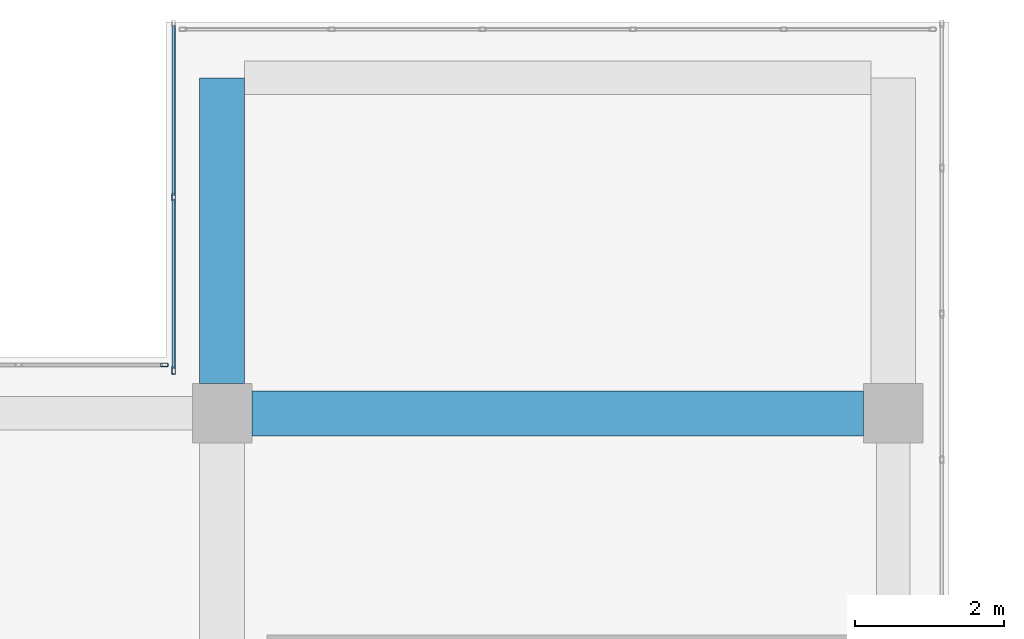
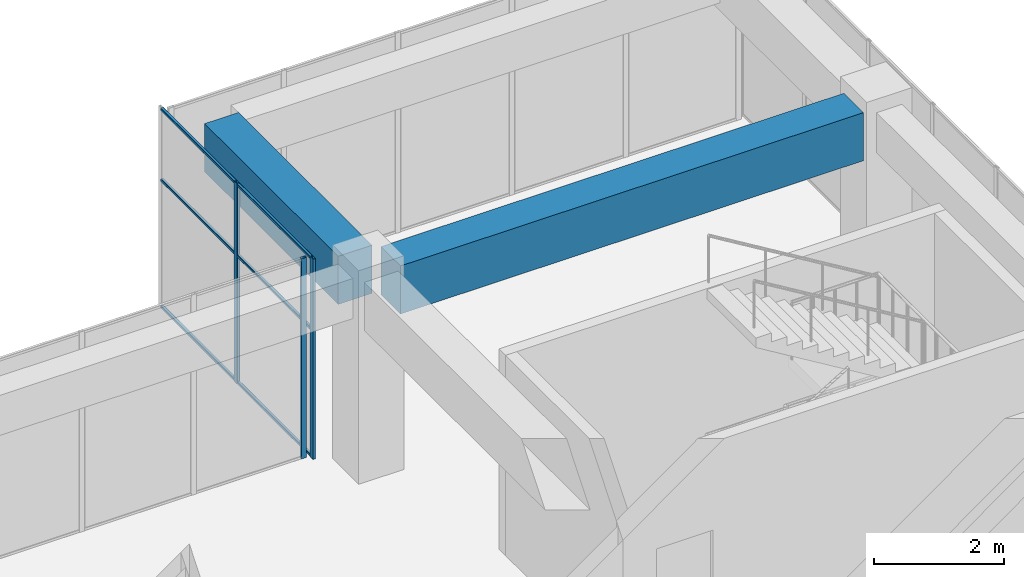
# One storey, part 34 of 55: 9 members, 2 beams, 2 elements without a shape of their own.
"""IFC4 building model written with IfcOpenShell, lengths in metres."""

from ifc_helpers import new_model, si_unit, direction, frame, origin, origin_2d, place, context, subcontext, project, spatial, rectangle, hollow_rectangle, extrude, material, layer, layer_set, material_profile, profile_set, type_object, element, aggregate, save


model = new_model("IFC4")

# Units and contexts
model_context = context("Model", 3, precision=1e-05, world=origin(), true_north=direction((0.0, 1.0)))
body_context = subcontext(model_context, "Body", "Model", "MODEL_VIEW")
ifc_project = project(units=[si_unit("LENGTHUNIT", "METRE"), si_unit("AREAUNIT", "SQUARE_METRE"), si_unit("VOLUMEUNIT", "CUBIC_METRE"), si_unit("PLANEANGLEUNIT", "RADIAN"), si_unit("MASSUNIT", "GRAM", prefix="KILO")], contexts=[model_context])

# Site, building, storey
site_placement = place(None, origin())
site = spatial("IfcSite", under=ifc_project, at=site_placement, CompositionType="ELEMENT")
building_placement = place(site_placement, origin())
building = spatial("IfcBuilding", under=site, at=building_placement, Name="Tuart Plaza Theatre", CompositionType="ELEMENT")
storey_placement = place(building_placement, frame((0.0, 0.0, 21.5)))
storey = spatial("IfcBuildingStorey", under=building, at=storey_placement, Name="L05", CompositionType="ELEMENT", Elevation=21.5)

# Beams
ifc_material_1 = material(Name="Concrete N40 (40 MPa)", Category="concrete")
ifc_material_profile_1 = material_profile(ifc_material_1, rectangle(XDim=0.60009765625, YDim=0.89990234375, at=origin_2d()), Name="BEAM 600x900 Concrete N40 (40 MPa)")
ifc_profile_set_1 = profile_set([ifc_material_profile_1], Name="Concrete N40 (40 MPa)")
beam_type = type_object("IfcBeamType", Name="BEAM 600x900 Concrete N40 (40 MPa)", PredefinedType="BEAM", material=ifc_profile_set_1)
beam_1_placement = place(storey_placement, frame((132.0, 92.39990234375, 3.300048828125), z_axis=(0.0, 1.0, 0.0), x_axis=(-1.0, 0.0, 0.0)))
element("IfcBeam", 1, at=beam_1_placement, inside=storey, type_object=beam_type, Name="RB225", PredefinedType="BEAM", context=body_context, shape_type="SweptSolid", body=[
    extrude(rectangle(XDim=0.60009765625, YDim=0.89990234375, at=origin_2d()), origin(), (0.0, 0.0, 1.0), 4.10009765625),
])
beam_2_placement = place(storey_placement, frame((132.39990234375, 92.0, 3.300048828125), z_axis=(1.0, 0.0, 0.0), x_axis=(0.0, 1.0, 0.0)))
element("IfcBeam", 2, at=beam_2_placement, inside=storey, type_object=beam_type, Name="RB226", PredefinedType="BEAM", context=body_context, shape_type="SweptSolid", body=[
    extrude(rectangle(XDim=0.60009765625, YDim=0.89990234375, at=origin_2d()), origin(), (0.0, 0.0, 1.0), 8.2001953125),
])

# Curtain wall, members
ifc_material_2 = material(Name="Aluminium and glass", Category="aluminium")
ifc_layer = layer(ifc_material_2, 0.10009765625)
ifc_layer_set = layer_set([ifc_layer], Name="CURTAIN WALL 2000 module")
curtain_wall_type = type_object("IfcCurtainWallType", Name="CURTAIN WALL 2000 module", PredefinedType="NOTDEFINED", material=ifc_layer_set)
curtain_wall_1_placement = place(storey_placement, origin())
curtain_wall_1 = element("IfcCurtainWall", 3, at=curtain_wall_1_placement, inside=storey, type_object=curtain_wall_type, Name="CW83", PredefinedType="NOTDEFINED")
ifc_material_3 = material(Name="Aluminium 6063-T5", Category="aluminium")
ifc_material_profile_2 = material_profile(ifc_material_3, hollow_rectangle(XDim=0.050048828125, YDim=0.10009765625, WallThickness=0.00390625, InnerFilletRadius=0.00390625, OuterFilletRadius=0.008056640625, at=origin_2d()), Name="RHS 100x50x4")
ifc_profile_set_2 = profile_set([ifc_material_profile_2], Name="Aluminium 6063-T5")
member_type_1 = type_object("IfcMemberType", Name="MULLION RHS 100x50x4", PredefinedType="MULLION", material=ifc_profile_set_2)
member_1_placement = place(storey_placement, frame((131.35009765625, 94.89990234375, 0.0), z_axis=(0.0, 0.0, 1.0), x_axis=(1.0, 0.0, 0.0)))
member_1 = element("IfcMember", 4, at=member_1_placement, type_object=member_type_1, Name="CW83 mullion 2", PredefinedType="MULLION", context=body_context, shape_type="SweptSolid", body=[
    extrude(hollow_rectangle(XDim=0.050048828125, YDim=0.10009765625, WallThickness=0.00390625, InnerFilletRadius=0.00390625, OuterFilletRadius=0.008056640625, at=origin_2d()), origin(), (0.0, 0.0, 1.0), 3.75),
])
member_2_placement = place(storey_placement, frame((131.35009765625, 92.574951171875, 0.0), z_axis=(0.0, 0.0, 1.0), x_axis=(1.0, 0.0, 0.0)))
member_2 = element("IfcMember", 5, at=member_2_placement, type_object=member_type_1, Name="CW83 mullion 3", PredefinedType="MULLION", context=body_context, shape_type="SweptSolid", body=[
    extrude(hollow_rectangle(XDim=0.050048828125, YDim=0.10009765625, WallThickness=0.00390625, InnerFilletRadius=0.00390625, OuterFilletRadius=0.008056640625, at=origin_2d()), origin(), (0.0, 0.0, 1.0), 3.75),
])

# Curtain wall, member
curtain_wall_2_placement = place(storey_placement, origin())
curtain_wall_2 = element("IfcCurtainWall", 6, at=curtain_wall_2_placement, inside=storey, type_object=curtain_wall_type, Name="CW84", PredefinedType="NOTDEFINED")
member_3_placement = place(storey_placement, frame((131.22509765625, 92.64990234375, 0.0), z_axis=(0.0, 0.0, 1.0), x_axis=(0.0, -1.0, 0.0)))
member_3 = element("IfcMember", 7, at=member_3_placement, type_object=member_type_1, Name="CW84 mullion 1", PredefinedType="MULLION", context=body_context, shape_type="SweptSolid", body=[
    extrude(hollow_rectangle(XDim=0.050048828125, YDim=0.10009765625, WallThickness=0.00390625, InnerFilletRadius=0.00390625, OuterFilletRadius=0.008056640625, at=origin_2d()), origin(), (0.0, 0.0, 1.0), 3.75),
])
aggregate(curtain_wall_2, [member_3])

# Member
ifc_material_4 = material(Name="Aluminium 6063-T5", Category="aluminium")
ifc_material_profile_3 = material_profile(ifc_material_4, hollow_rectangle(XDim=0.050048828125, YDim=0.050048828125, WallThickness=0.00390625, InnerFilletRadius=0.00390625, OuterFilletRadius=0.008056640625, at=origin_2d()), Name="RHS 50x50x4")
ifc_profile_set_3 = profile_set([ifc_material_profile_3], Name="Aluminium 6063-T5")
member_type_2 = type_object("IfcMemberType", Name="TRANSOM RHS 50x50x4", PredefinedType="USERDEFINED", material=ifc_profile_set_3)
member_4_placement = place(storey_placement, frame((131.35009765625, 97.199951171875, 0.02490234375), z_axis=(0.0, -1.0, 0.0), x_axis=(1.0, 0.0, 0.0)))
member_4 = element("IfcMember", 8, at=member_4_placement, type_object=member_type_2, Name="CW83 transom 1.1", ObjectType="TRANSOM", PredefinedType="USERDEFINED", context=body_context, shape_type="SweptSolid", body=[
    extrude(hollow_rectangle(XDim=0.050048828125, YDim=0.050048828125, WallThickness=0.00390625, InnerFilletRadius=0.00390625, OuterFilletRadius=0.008056640625, at=origin_2d()), origin(), (0.0, 0.0, 1.0), 2.27490234375),
])

member_5_placement = place(storey_placement, frame((131.35009765625, 97.199951171875, 2.39990234375), z_axis=(0.0, -1.0, 0.0), x_axis=(1.0, 0.0, 0.0)))
member_5 = element("IfcMember", 9, at=member_5_placement, type_object=member_type_2, Name="CW83 transom 1.2", ObjectType="TRANSOM", PredefinedType="USERDEFINED", context=body_context, shape_type="SweptSolid", body=[
    extrude(hollow_rectangle(XDim=0.050048828125, YDim=0.050048828125, WallThickness=0.00390625, InnerFilletRadius=0.00390625, OuterFilletRadius=0.008056640625, at=origin_2d()), origin(), (0.0, 0.0, 1.0), 2.27490234375),
])

member_6_placement = place(storey_placement, frame((131.35009765625, 97.199951171875, 3.72509765625), z_axis=(0.0, -1.0, 0.0), x_axis=(1.0, 0.0, 0.0)))
member_6 = element("IfcMember", 10, at=member_6_placement, type_object=member_type_2, Name="CW83 transom 1.3", ObjectType="TRANSOM", PredefinedType="USERDEFINED", context=body_context, shape_type="SweptSolid", body=[
    extrude(hollow_rectangle(XDim=0.050048828125, YDim=0.050048828125, WallThickness=0.00390625, InnerFilletRadius=0.00390625, OuterFilletRadius=0.008056640625, at=origin_2d()), origin(), (0.0, 0.0, 1.0), 2.27490234375),
])

member_7_placement = place(storey_placement, frame((131.35009765625, 94.875, 0.02490234375), z_axis=(0.0, -1.0, 0.0), x_axis=(1.0, 0.0, 0.0)))
member_7 = element("IfcMember", 11, at=member_7_placement, type_object=member_type_2, Name="CW83 transom 2.1", ObjectType="TRANSOM", PredefinedType="USERDEFINED", context=body_context, shape_type="SweptSolid", body=[
    extrude(hollow_rectangle(XDim=0.050048828125, YDim=0.050048828125, WallThickness=0.00390625, InnerFilletRadius=0.00390625, OuterFilletRadius=0.008056640625, at=origin_2d()), origin(), (0.0, 0.0, 1.0), 2.27490234375),
])

member_8_placement = place(storey_placement, frame((131.35009765625, 94.875, 2.39990234375), z_axis=(0.0, -1.0, 0.0), x_axis=(1.0, 0.0, 0.0)))
member_8 = element("IfcMember", 12, at=member_8_placement, type_object=member_type_2, Name="CW83 transom 2.2", ObjectType="TRANSOM", PredefinedType="USERDEFINED", context=body_context, shape_type="SweptSolid", body=[
    extrude(hollow_rectangle(XDim=0.050048828125, YDim=0.050048828125, WallThickness=0.00390625, InnerFilletRadius=0.00390625, OuterFilletRadius=0.008056640625, at=origin_2d()), origin(), (0.0, 0.0, 1.0), 2.27490234375),
])

member_9_placement = place(storey_placement, frame((131.35009765625, 94.875, 3.72509765625), z_axis=(0.0, -1.0, 0.0), x_axis=(1.0, 0.0, 0.0)))
member_9 = element("IfcMember", 13, at=member_9_placement, type_object=member_type_2, Name="CW83 transom 2.3", ObjectType="TRANSOM", PredefinedType="USERDEFINED", context=body_context, shape_type="SweptSolid", body=[
    extrude(hollow_rectangle(XDim=0.050048828125, YDim=0.050048828125, WallThickness=0.00390625, InnerFilletRadius=0.00390625, OuterFilletRadius=0.008056640625, at=origin_2d()), origin(), (0.0, 0.0, 1.0), 2.27490234375),
])

aggregate(curtain_wall_1, [member_1, member_2, member_4, member_5, member_6, member_7, member_8, member_9])

save(model, "model.ifc")
